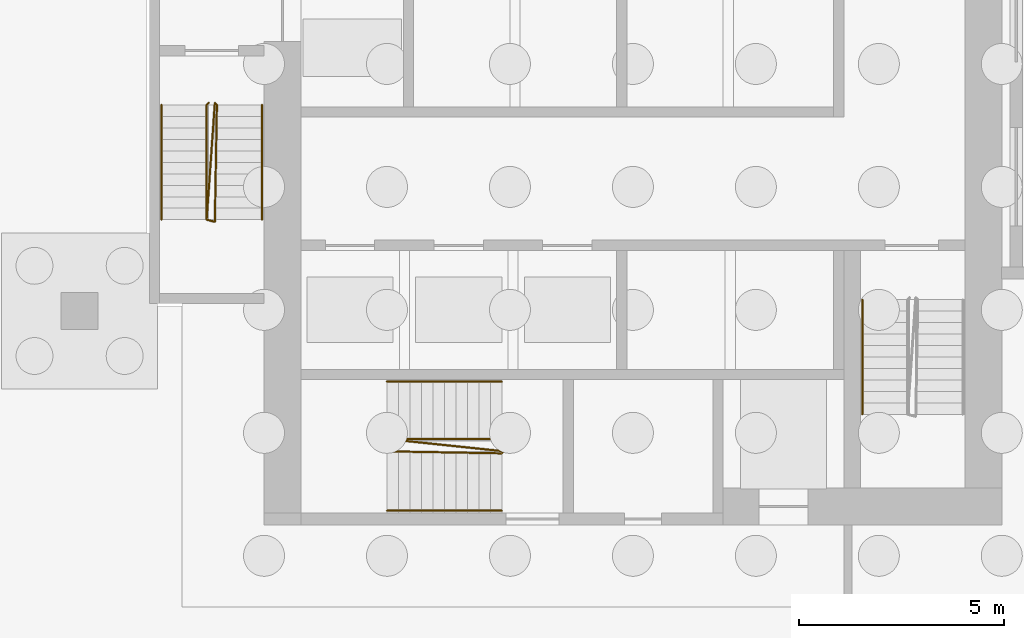
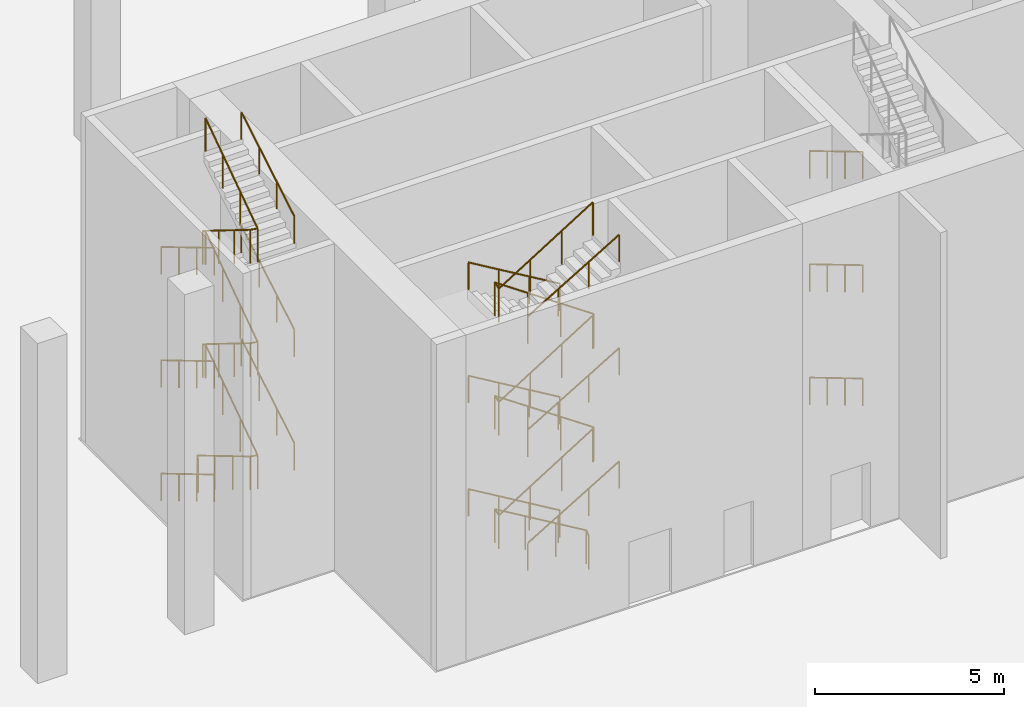
# One storey, part 22 of 26: 17 railings.
"""IFC4 building model written with IfcOpenShell, lengths in metres."""

from ifc_helpers import new_model, si_unit, direction, frame, origin, origin_2d, place, context, subcontext, project, spatial, circle, extrude, material, type_object, element, save


model = new_model("IFC4")

# Units and contexts
model_context = context("Model", 3, precision=1e-05, world=origin(), true_north=direction((0.0, 1.0)))
body_context = subcontext(model_context, "Body", "Model", "MODEL_VIEW")
ifc_project = project(units=[si_unit("LENGTHUNIT", "METRE"), si_unit("AREAUNIT", "SQUARE_METRE"), si_unit("VOLUMEUNIT", "CUBIC_METRE"), si_unit("PLANEANGLEUNIT", "RADIAN"), si_unit("MASSUNIT", "GRAM", prefix="KILO")], contexts=[model_context])

# Site, building, storey
site_placement = place(None, origin())
site = spatial("IfcSite", under=ifc_project, at=site_placement, CompositionType="ELEMENT")
building_placement = place(site_placement, origin())
building = spatial("IfcBuilding", under=site, at=building_placement, Name="Kajstack Hotel Tower", CompositionType="ELEMENT")
storey_placement = place(building_placement, origin())
storey = spatial("IfcBuildingStorey", under=building, at=storey_placement, Name="L00", CompositionType="ELEMENT", Elevation=0.0)

# Railings
ifc_material = material(Name="Steel S355J2", Category="steel")
railing_type_1 = type_object("IfcRailingType", Name="Stair guard 1100", PredefinedType="GUARDRAIL", material=ifc_material)
railing_1_placement = place(storey_placement, frame((-32.85009765625, -5.199951171875, 0.0)))
element("IfcRailing", 1, at=railing_1_placement, inside=storey, type_object=railing_type_1, Name="L00 W1 stair guard 1", PredefinedType="GUARDRAIL", context=body_context, shape_type="SweptSolid", body=[
    extrude(circle(Radius=0.02392578125, at=origin_2d()), frame((0.0, 0.0, 1.076171875), z_axis=(-0.275041040955, -0.276389281352, 0.920848191041), x_axis=(0.708833529934, -0.705375805398, 0.0)), (0.0, 0.0, 1.0), 0.18115234375),
    extrude(circle(Radius=0.02392578125, at=origin_2d()), frame((-0.0498046875, -0.050048828125, 1.24267578125), z_axis=(0.0, -0.859318757487, 0.511440390497), x_axis=(1.0, 0.0, 0.0)), (0.0, 0.0, 1.0), 3.258544921875),
    extrude(circle(Radius=0.02392578125, at=origin_2d()), frame((-0.0498046875, -2.85009765625, 2.9091796875), z_axis=(0.970072785993, -0.242814311512, 0.0), x_axis=(0.242814311512, 0.970072785993, 0.0)), (0.0, 0.0, 1.0), 0.2060546875),
    extrude(circle(Radius=0.02392578125, at=origin_2d()), frame((0.150146484375, -2.900146484375, 2.9091796875), z_axis=(0.014766769939, 0.84091352328, 0.54096801095), x_axis=(-0.999845851991, 0.017557683712, 0.0)), (0.0, 0.0, 1.0), 3.389404296875),
    extrude(circle(Radius=0.02392578125, at=origin_2d()), frame((0.2001953125, -0.050048828125, 4.74267578125), z_axis=(-0.707106781187, 0.707106781187, 0.0), x_axis=(-0.707106781187, -0.707106781187, 0.0)), (0.0, 0.0, 1.0), 0.07080078125),
    extrude(circle(Radius=0.02392578125, at=origin_2d()), frame((0.150146484375, 0.0, 4.74267578125), z_axis=(-0.058901337739, -0.839577798244, 0.540036807179), x_axis=(0.997548121837, -0.06998388828, 0.0)), (0.0, 0.0, 1.0), 3.394775390625),
    extrude(circle(Radius=0.02392578125, at=origin_2d()), frame((-0.0498046875, -2.85009765625, 6.576171875), z_axis=(0.970072785993, -0.242814311512, 0.0), x_axis=(0.242814311512, 0.970072785993, 0.0)), (0.0, 0.0, 1.0), 0.2060546875),
    extrude(circle(Radius=0.02392578125, at=origin_2d()), frame((0.150146484375, -2.900146484375, 6.576171875), z_axis=(0.01476734536, 0.840946291363, 0.540917055152), x_axis=(-0.999845851991, 0.017557683712, 0.0)), (0.0, 0.0, 1.0), 3.38916015625),
    extrude(circle(Radius=0.02392578125, at=origin_2d()), frame((0.2001953125, -0.050048828125, 8.4091796875), z_axis=(-0.707106781187, 0.707106781187, 0.0), x_axis=(-0.707106781187, -0.707106781187, 0.0)), (0.0, 0.0, 1.0), 0.07080078125),
    extrude(circle(Radius=0.02392578125, at=origin_2d()), frame((0.150146484375, 0.0, 8.4091796875), z_axis=(-0.058899050069, -0.839545189867, 0.540087748493), x_axis=(0.997548121837, -0.06998388828, 0.0)), (0.0, 0.0, 1.0), 3.394775390625),
    extrude(circle(Radius=0.02392578125, at=origin_2d()), frame((-0.0498046875, -2.85009765625, 10.24267578125), z_axis=(0.970072785993, -0.242814311512, 0.0), x_axis=(0.242814311512, 0.970072785993, 0.0)), (0.0, 0.0, 1.0), 0.2060546875),
    extrude(circle(Radius=0.02392578125, at=origin_2d()), frame((0.150146484375, -2.900146484375, 10.24267578125), z_axis=(0.01476734536, 0.840946291363, 0.540917055152), x_axis=(-0.999845851991, 0.017557683712, 0.0)), (0.0, 0.0, 1.0), 3.38916015625),
    extrude(circle(Radius=0.02099609375, at=origin_2d()), origin(), (0.0, 0.0, 1.0), 1.052001953125),
    extrude(circle(Radius=0.02099609375, at=origin_2d()), frame((-0.0498046875, -0.050048828125, 0.166748046875)), (0.0, 0.0, 1.0), 1.052001953125),
    extrude(circle(Radius=0.02099609375, at=origin_2d()), frame((-0.0498046875, -0.9833984375, 0.72216796875)), (0.0, 0.0, 1.0), 1.052001953125),
    extrude(circle(Radius=0.02099609375, at=origin_2d()), frame((-0.0498046875, -1.916748046875, 1.27783203125)), (0.0, 0.0, 1.0), 1.052001953125),
    extrude(circle(Radius=0.02099609375, at=origin_2d()), frame((-0.0498046875, -2.85009765625, 1.833251953125)), (0.0, 0.0, 1.0), 1.052001953125),
    extrude(circle(Radius=0.02099609375, at=origin_2d()), frame((0.150146484375, -2.900146484375, 1.833251953125)), (0.0, 0.0, 1.0), 1.052001953125),
    extrude(circle(Radius=0.02099609375, at=origin_2d()), frame((0.166748046875, -1.9501953125, 2.4443359375)), (0.0, 0.0, 1.0), 1.052001953125),
    extrude(circle(Radius=0.02099609375, at=origin_2d()), frame((0.18359375, -1.0, 3.0556640625)), (0.0, 0.0, 1.0), 1.052001953125),
    extrude(circle(Radius=0.02099609375, at=origin_2d()), frame((0.2001953125, -0.050048828125, 3.666748046875)), (0.0, 0.0, 1.0), 1.052001953125),
    extrude(circle(Radius=0.02099609375, at=origin_2d()), frame((0.150146484375, 0.0, 3.666748046875)), (0.0, 0.0, 1.0), 1.052001953125),
    extrude(circle(Radius=0.02099609375, at=origin_2d()), frame((0.08349609375, -0.949951171875, 4.27783203125)), (0.0, 0.0, 1.0), 1.052001953125),
    extrude(circle(Radius=0.02099609375, at=origin_2d()), frame((0.016845703125, -1.900146484375, 4.888916015625)), (0.0, 0.0, 1.0), 1.052001953125),
    extrude(circle(Radius=0.02099609375, at=origin_2d()), frame((-0.0498046875, -2.85009765625, 5.5)), (0.0, 0.0, 1.0), 1.052001953125),
    extrude(circle(Radius=0.02099609375, at=origin_2d()), frame((0.150146484375, -2.900146484375, 5.5)), (0.0, 0.0, 1.0), 1.052001953125),
    extrude(circle(Radius=0.02099609375, at=origin_2d()), frame((0.166748046875, -1.9501953125, 6.111083984375)), (0.0, 0.0, 1.0), 1.052001953125),
    extrude(circle(Radius=0.02099609375, at=origin_2d()), frame((0.18359375, -1.0, 6.72216796875)), (0.0, 0.0, 1.0), 1.052001953125),
    extrude(circle(Radius=0.02099609375, at=origin_2d()), frame((0.2001953125, -0.050048828125, 7.333251953125)), (0.0, 0.0, 1.0), 1.052001953125),
    extrude(circle(Radius=0.02099609375, at=origin_2d()), frame((0.150146484375, 0.0, 7.333251953125)), (0.0, 0.0, 1.0), 1.052001953125),
    extrude(circle(Radius=0.02099609375, at=origin_2d()), frame((0.08349609375, -0.949951171875, 7.9443359375)), (0.0, 0.0, 1.0), 1.052001953125),
    extrude(circle(Radius=0.02099609375, at=origin_2d()), frame((0.016845703125, -1.900146484375, 8.5556640625)), (0.0, 0.0, 1.0), 1.052001953125),
    extrude(circle(Radius=0.02099609375, at=origin_2d()), frame((-0.0498046875, -2.85009765625, 9.166748046875)), (0.0, 0.0, 1.0), 1.052001953125),
    extrude(circle(Radius=0.02099609375, at=origin_2d()), frame((0.150146484375, -2.900146484375, 9.166748046875)), (0.0, 0.0, 1.0), 1.052001953125),
    extrude(circle(Radius=0.02099609375, at=origin_2d()), frame((0.166748046875, -1.9501953125, 9.77783203125)), (0.0, 0.0, 1.0), 1.052001953125),
    extrude(circle(Radius=0.02099609375, at=origin_2d()), frame((0.18359375, -1.0, 10.388916015625)), (0.0, 0.0, 1.0), 1.052001953125),
    extrude(circle(Radius=0.02099609375, at=origin_2d()), frame((0.2001953125, -0.050048828125, 11.0)), (0.0, 0.0, 1.0), 1.052001953125),
])
railing_2_placement = place(storey_placement, frame((-25.64990234375, -13.449951171875, 0.0)))
element("IfcRailing", 2, at=railing_2_placement, inside=storey, type_object=railing_type_1, Name="L00 W3 stair guard 1", PredefinedType="GUARDRAIL", context=body_context, shape_type="SweptSolid", body=[
    extrude(circle(Radius=0.02392578125, at=origin_2d()), frame((0.0, 0.0, 1.076171875), z_axis=(-0.27628659633, 0.27628659633, 0.920506074601), x_axis=(-0.707106781187, -0.707106781187, 0.0)), (0.0, 0.0, 1.0), 0.18115234375),
    extrude(circle(Radius=0.02392578125, at=origin_2d()), frame((-0.050048828125, 0.050048828125, 1.24267578125), z_axis=(-0.859318757487, 0.0, 0.511440390497), x_axis=(0.0, -1.0, 0.0)), (0.0, 0.0, 1.0), 3.258544921875),
    extrude(circle(Radius=0.02392578125, at=origin_2d()), frame((-2.85009765625, 0.050048828125, 2.9091796875), z_axis=(-0.164529134168, -0.986372223864, 0.0), x_axis=(0.986372223864, -0.164529134168, 0.0)), (0.0, 0.0, 1.0), 0.30419921875),
    extrude(circle(Radius=0.02392578125, at=origin_2d()), frame((-2.900146484375, -0.25, 2.9091796875), z_axis=(0.84091352328, -0.014766769939, 0.54096801095), x_axis=(0.017557683712, 0.999845851991, 0.0)), (0.0, 0.0, 1.0), 3.389404296875),
    extrude(circle(Radius=0.02392578125, at=origin_2d()), frame((-0.050048828125, -0.300048828125, 4.74267578125), z_axis=(0.707106781187, 0.707106781187, 0.0), x_axis=(-0.707106781187, 0.707106781187, 0.0)), (0.0, 0.0, 1.0), 0.07080078125),
    extrude(circle(Radius=0.02392578125, at=origin_2d()), frame((0.0, -0.25, 4.74267578125), z_axis=(-0.837760544997, 0.088196651516, 0.538867905806), x_axis=(-0.104698088099, -0.994504052455, 0.0)), (0.0, 0.0, 1.0), 3.402099609375),
    extrude(circle(Radius=0.02392578125, at=origin_2d()), frame((-2.85009765625, 0.050048828125, 6.576171875), z_axis=(-0.164529134168, -0.986372223864, 0.0), x_axis=(0.986372223864, -0.164529134168, 0.0)), (0.0, 0.0, 1.0), 0.30419921875),
    extrude(circle(Radius=0.02392578125, at=origin_2d()), frame((-2.900146484375, -0.25, 6.576171875), z_axis=(0.840946291363, -0.01476734536, 0.540917055152), x_axis=(0.017557683712, 0.999845851991, 0.0)), (0.0, 0.0, 1.0), 3.38916015625),
    extrude(circle(Radius=0.02392578125, at=origin_2d()), frame((-0.050048828125, -0.300048828125, 8.4091796875), z_axis=(0.707106781187, 0.707106781187, 0.0), x_axis=(-0.707106781187, 0.707106781187, 0.0)), (0.0, 0.0, 1.0), 0.07080078125),
    extrude(circle(Radius=0.02392578125, at=origin_2d()), frame((0.0, -0.25, 8.4091796875), z_axis=(-0.837728147895, 0.088193240857, 0.538918827368), x_axis=(-0.104698088099, -0.994504052455, 0.0)), (0.0, 0.0, 1.0), 3.402099609375),
    extrude(circle(Radius=0.02392578125, at=origin_2d()), frame((-2.85009765625, 0.050048828125, 10.24267578125), z_axis=(-0.164529134168, -0.986372223864, 0.0), x_axis=(0.986372223864, -0.164529134168, 0.0)), (0.0, 0.0, 1.0), 0.30419921875),
    extrude(circle(Radius=0.02392578125, at=origin_2d()), frame((-2.900146484375, -0.25, 10.24267578125), z_axis=(0.840946291363, -0.01476734536, 0.540917055152), x_axis=(0.017557683712, 0.999845851991, 0.0)), (0.0, 0.0, 1.0), 3.38916015625),
    extrude(circle(Radius=0.02099609375, at=origin_2d()), origin(), (0.0, 0.0, 1.0), 1.052001953125),
    extrude(circle(Radius=0.02099609375, at=origin_2d()), frame((-0.050048828125, 0.050048828125, 0.166748046875)), (0.0, 0.0, 1.0), 1.052001953125),
    extrude(circle(Radius=0.02099609375, at=origin_2d()), frame((-0.9833984375, 0.050048828125, 0.72216796875)), (0.0, 0.0, 1.0), 1.052001953125),
    extrude(circle(Radius=0.02099609375, at=origin_2d()), frame((-1.916748046875, 0.050048828125, 1.27783203125)), (0.0, 0.0, 1.0), 1.052001953125),
    extrude(circle(Radius=0.02099609375, at=origin_2d()), frame((-2.85009765625, 0.050048828125, 1.833251953125)), (0.0, 0.0, 1.0), 1.052001953125),
    extrude(circle(Radius=0.02099609375, at=origin_2d()), frame((-2.900146484375, -0.25, 1.833251953125)), (0.0, 0.0, 1.0), 1.052001953125),
    extrude(circle(Radius=0.02099609375, at=origin_2d()), frame((-1.9501953125, -0.2666015625, 2.4443359375)), (0.0, 0.0, 1.0), 1.052001953125),
    extrude(circle(Radius=0.02099609375, at=origin_2d()), frame((-1.0, -0.283447265625, 3.0556640625)), (0.0, 0.0, 1.0), 1.052001953125),
    extrude(circle(Radius=0.02099609375, at=origin_2d()), frame((-0.050048828125, -0.300048828125, 3.666748046875)), (0.0, 0.0, 1.0), 1.052001953125),
    extrude(circle(Radius=0.02099609375, at=origin_2d()), frame((0.0, -0.25, 3.666748046875)), (0.0, 0.0, 1.0), 1.052001953125),
    extrude(circle(Radius=0.02099609375, at=origin_2d()), frame((-0.949951171875, -0.14990234375, 4.27783203125)), (0.0, 0.0, 1.0), 1.052001953125),
    extrude(circle(Radius=0.02099609375, at=origin_2d()), frame((-1.900146484375, -0.050048828125, 4.888916015625)), (0.0, 0.0, 1.0), 1.052001953125),
    extrude(circle(Radius=0.02099609375, at=origin_2d()), frame((-2.85009765625, 0.050048828125, 5.5)), (0.0, 0.0, 1.0), 1.052001953125),
    extrude(circle(Radius=0.02099609375, at=origin_2d()), frame((-2.900146484375, -0.25, 5.5)), (0.0, 0.0, 1.0), 1.052001953125),
    extrude(circle(Radius=0.02099609375, at=origin_2d()), frame((-1.9501953125, -0.2666015625, 6.111083984375)), (0.0, 0.0, 1.0), 1.052001953125),
    extrude(circle(Radius=0.02099609375, at=origin_2d()), frame((-1.0, -0.283447265625, 6.72216796875)), (0.0, 0.0, 1.0), 1.052001953125),
    extrude(circle(Radius=0.02099609375, at=origin_2d()), frame((-0.050048828125, -0.300048828125, 7.333251953125)), (0.0, 0.0, 1.0), 1.052001953125),
    extrude(circle(Radius=0.02099609375, at=origin_2d()), frame((0.0, -0.25, 7.333251953125)), (0.0, 0.0, 1.0), 1.052001953125),
    extrude(circle(Radius=0.02099609375, at=origin_2d()), frame((-0.949951171875, -0.14990234375, 7.9443359375)), (0.0, 0.0, 1.0), 1.052001953125),
    extrude(circle(Radius=0.02099609375, at=origin_2d()), frame((-1.900146484375, -0.050048828125, 8.5556640625)), (0.0, 0.0, 1.0), 1.052001953125),
    extrude(circle(Radius=0.02099609375, at=origin_2d()), frame((-2.85009765625, 0.050048828125, 9.166748046875)), (0.0, 0.0, 1.0), 1.052001953125),
    extrude(circle(Radius=0.02099609375, at=origin_2d()), frame((-2.900146484375, -0.25, 9.166748046875)), (0.0, 0.0, 1.0), 1.052001953125),
    extrude(circle(Radius=0.02099609375, at=origin_2d()), frame((-1.9501953125, -0.2666015625, 9.77783203125)), (0.0, 0.0, 1.0), 1.052001953125),
    extrude(circle(Radius=0.02099609375, at=origin_2d()), frame((-1.0, -0.283447265625, 10.388916015625)), (0.0, 0.0, 1.0), 1.052001953125),
    extrude(circle(Radius=0.02099609375, at=origin_2d()), frame((-0.050048828125, -0.300048828125, 11.0)), (0.0, 0.0, 1.0), 1.052001953125),
])
railing_type_2 = type_object("IfcRailingType", Name="Stair handrail 900", PredefinedType="HANDRAIL", material=ifc_material)
railing_3_placement = place(storey_placement, frame((-34.0, -5.25, 0.166748046875)))
element("IfcRailing", 3, at=railing_3_placement, inside=storey, type_object=railing_type_2, Name="L00 W1 stair handrail 1", PredefinedType="HANDRAIL", context=body_context, shape_type="SweptSolid", body=[
    extrude(circle(Radius=0.02392578125, at=origin_2d()), frame((0.0, 0.0, 0.8759765625), z_axis=(0.0, -0.859318757487, 0.511440390497), x_axis=(1.0, 0.0, 0.0)), (0.0, 0.0, 1.0), 3.258544921875),
    extrude(circle(Radius=0.02099609375, at=origin_2d()), origin(), (0.0, 0.0, 1.0), 0.851806640625),
    extrude(circle(Radius=0.02099609375, at=origin_2d()), frame((0.0, -0.933349609375, 0.555419921875)), (0.0, 0.0, 1.0), 0.851806640625),
    extrude(circle(Radius=0.02099609375, at=origin_2d()), frame((0.0, -1.86669921875, 1.111083984375)), (0.0, 0.0, 1.0), 0.851806640625),
    extrude(circle(Radius=0.02099609375, at=origin_2d()), frame((0.0, -2.800048828125, 1.66650390625)), (0.0, 0.0, 1.0), 0.851806640625),
])
railing_4_placement = place(storey_placement, frame((-31.550048828125, -8.050048828125, 2.0)))
element("IfcRailing", 4, at=railing_4_placement, inside=storey, type_object=railing_type_2, Name="L00 W1 stair handrail 2", PredefinedType="HANDRAIL", context=body_context, shape_type="SweptSolid", body=[
    extrude(circle(Radius=0.02392578125, at=origin_2d()), frame((0.0, 0.0, 0.8759765625), z_axis=(0.0, 0.859285828005, 0.511495714342), x_axis=(-1.0, 0.0, 0.0)), (0.0, 0.0, 1.0), 3.258544921875),
    extrude(circle(Radius=0.02099609375, at=origin_2d()), origin(), (0.0, 0.0, 1.0), 0.851806640625),
    extrude(circle(Radius=0.02099609375, at=origin_2d()), frame((0.0, 0.933349609375, 0.5556640625)), (0.0, 0.0, 1.0), 0.851806640625),
    extrude(circle(Radius=0.02099609375, at=origin_2d()), frame((0.0, 1.86669921875, 1.111083984375)), (0.0, 0.0, 1.0), 0.851806640625),
    extrude(circle(Radius=0.02099609375, at=origin_2d()), frame((0.0, 2.800048828125, 1.666748046875)), (0.0, 0.0, 1.0), 0.851806640625),
])
railing_5_placement = place(storey_placement, frame((-34.0, -5.25, 3.833251953125)))
element("IfcRailing", 5, at=railing_5_placement, inside=storey, type_object=railing_type_2, Name="L00 W1 stair handrail 3", PredefinedType="HANDRAIL", context=body_context, shape_type="SweptSolid", body=[
    extrude(circle(Radius=0.02392578125, at=origin_2d()), frame((0.0, 0.0, 0.8759765625), z_axis=(0.0, -0.859285828005, 0.511495714342), x_axis=(1.0, 0.0, 0.0)), (0.0, 0.0, 1.0), 3.258544921875),
    extrude(circle(Radius=0.02099609375, at=origin_2d()), origin(), (0.0, 0.0, 1.0), 0.851806640625),
    extrude(circle(Radius=0.02099609375, at=origin_2d()), frame((0.0, -0.933349609375, 0.5556640625)), (0.0, 0.0, 1.0), 0.851806640625),
    extrude(circle(Radius=0.02099609375, at=origin_2d()), frame((0.0, -1.86669921875, 1.111083984375)), (0.0, 0.0, 1.0), 0.851806640625),
    extrude(circle(Radius=0.02099609375, at=origin_2d()), frame((0.0, -2.800048828125, 1.666748046875)), (0.0, 0.0, 1.0), 0.851806640625),
])
railing_6_placement = place(storey_placement, frame((-31.550048828125, -8.050048828125, 5.666748046875)))
element("IfcRailing", 6, at=railing_6_placement, inside=storey, type_object=railing_type_2, Name="L00 W1 stair handrail 4", PredefinedType="HANDRAIL", context=body_context, shape_type="SweptSolid", body=[
    extrude(circle(Radius=0.02392578125, at=origin_2d()), frame((0.0, 0.0, 0.8759765625), z_axis=(0.0, 0.859318757487, 0.511440390497), x_axis=(-1.0, 0.0, 0.0)), (0.0, 0.0, 1.0), 3.258544921875),
    extrude(circle(Radius=0.02099609375, at=origin_2d()), origin(), (0.0, 0.0, 1.0), 0.851806640625),
    extrude(circle(Radius=0.02099609375, at=origin_2d()), frame((0.0, 0.933349609375, 0.555419921875)), (0.0, 0.0, 1.0), 0.851806640625),
    extrude(circle(Radius=0.02099609375, at=origin_2d()), frame((0.0, 1.86669921875, 1.111083984375)), (0.0, 0.0, 1.0), 0.851806640625),
    extrude(circle(Radius=0.02099609375, at=origin_2d()), frame((0.0, 2.800048828125, 1.66650390625)), (0.0, 0.0, 1.0), 0.851806640625),
])
railing_7_placement = place(storey_placement, frame((-34.0, -5.25, 7.5)))
element("IfcRailing", 7, at=railing_7_placement, inside=storey, type_object=railing_type_2, Name="L00 W1 stair handrail 5", PredefinedType="HANDRAIL", context=body_context, shape_type="SweptSolid", body=[
    extrude(circle(Radius=0.02392578125, at=origin_2d()), frame((0.0, 0.0, 0.8759765625), z_axis=(0.0, -0.859285828005, 0.511495714342), x_axis=(1.0, 0.0, 0.0)), (0.0, 0.0, 1.0), 3.258544921875),
    extrude(circle(Radius=0.02099609375, at=origin_2d()), origin(), (0.0, 0.0, 1.0), 0.851806640625),
    extrude(circle(Radius=0.02099609375, at=origin_2d()), frame((0.0, -0.933349609375, 0.5556640625)), (0.0, 0.0, 1.0), 0.851806640625),
    extrude(circle(Radius=0.02099609375, at=origin_2d()), frame((0.0, -1.86669921875, 1.111083984375)), (0.0, 0.0, 1.0), 0.851806640625),
    extrude(circle(Radius=0.02099609375, at=origin_2d()), frame((0.0, -2.800048828125, 1.666748046875)), (0.0, 0.0, 1.0), 0.851806640625),
])
railing_8_placement = place(storey_placement, frame((-31.550048828125, -8.050048828125, 9.333251953125)))
element("IfcRailing", 8, at=railing_8_placement, inside=storey, type_object=railing_type_2, Name="L00 W1 stair handrail 6", PredefinedType="HANDRAIL", context=body_context, shape_type="SweptSolid", body=[
    extrude(circle(Radius=0.02392578125, at=origin_2d()), frame((0.0, 0.0, 0.8759765625), z_axis=(0.0, 0.859285828005, 0.511495714342), x_axis=(-1.0, 0.0, 0.0)), (0.0, 0.0, 1.0), 3.258544921875),
    extrude(circle(Radius=0.02099609375, at=origin_2d()), origin(), (0.0, 0.0, 1.0), 0.851806640625),
    extrude(circle(Radius=0.02099609375, at=origin_2d()), frame((0.0, 0.933349609375, 0.5556640625)), (0.0, 0.0, 1.0), 0.851806640625),
    extrude(circle(Radius=0.02099609375, at=origin_2d()), frame((0.0, 1.86669921875, 1.111083984375)), (0.0, 0.0, 1.0), 0.851806640625),
    extrude(circle(Radius=0.02099609375, at=origin_2d()), frame((0.0, 2.800048828125, 1.666748046875)), (0.0, 0.0, 1.0), 0.851806640625),
])
railing_9_placement = place(storey_placement, frame((-16.89990234375, -10.0, 0.166748046875)))
element("IfcRailing", 9, at=railing_9_placement, inside=storey, type_object=railing_type_2, Name="L00 W2 stair handrail 1", PredefinedType="HANDRAIL", context=body_context, shape_type="SweptSolid", body=[
    extrude(circle(Radius=0.02392578125, at=origin_2d()), frame((0.0, 0.0, 0.8759765625), z_axis=(0.0, -0.859318757487, 0.511440390497), x_axis=(1.0, 0.0, 0.0)), (0.0, 0.0, 1.0), 3.258544921875),
    extrude(circle(Radius=0.02099609375, at=origin_2d()), origin(), (0.0, 0.0, 1.0), 0.851806640625),
    extrude(circle(Radius=0.02099609375, at=origin_2d()), frame((0.0, -0.933349609375, 0.555419921875)), (0.0, 0.0, 1.0), 0.851806640625),
    extrude(circle(Radius=0.02099609375, at=origin_2d()), frame((0.0, -1.86669921875, 1.111083984375)), (0.0, 0.0, 1.0), 0.851806640625),
    extrude(circle(Radius=0.02099609375, at=origin_2d()), frame((0.0, -2.800048828125, 1.66650390625)), (0.0, 0.0, 1.0), 0.851806640625),
])
for number, where, name in (
    (10, (-16.89990234375, -10.0, 3.833251953125), "L00 W2 stair handrail 3"),
    (11, (-16.89990234375, -10.0, 7.5), "L00 W2 stair handrail 5"),
):
    element("IfcRailing", number, at=place(storey_placement, frame(where)), inside=storey, type_object=railing_type_2, Name=name, PredefinedType="HANDRAIL", context=body_context, shape_type="SweptSolid", body=[
        extrude(circle(Radius=0.02392578125, at=origin_2d()), frame((0.0, 0.0, 0.8759765625), z_axis=(0.0, -0.859285828005, 0.511495714342), x_axis=(1.0, 0.0, 0.0)), (0.0, 0.0, 1.0), 3.258544921875),
        extrude(circle(Radius=0.02099609375, at=origin_2d()), origin(), (0.0, 0.0, 1.0), 0.851806640625),
        extrude(circle(Radius=0.02099609375, at=origin_2d()), frame((0.0, -0.933349609375, 0.5556640625)), (0.0, 0.0, 1.0), 0.851806640625),
        extrude(circle(Radius=0.02099609375, at=origin_2d()), frame((0.0, -1.86669921875, 1.111083984375)), (0.0, 0.0, 1.0), 0.851806640625),
        extrude(circle(Radius=0.02099609375, at=origin_2d()), frame((0.0, -2.800048828125, 1.666748046875)), (0.0, 0.0, 1.0), 0.851806640625),
    ])
railing_10_placement = place(storey_placement, frame((-25.699951171875, -12.0, 0.166748046875)))
element("IfcRailing", 12, at=railing_10_placement, inside=storey, type_object=railing_type_2, Name="L00 W3 stair handrail 1", PredefinedType="HANDRAIL", context=body_context, shape_type="SweptSolid", body=[
    extrude(circle(Radius=0.02392578125, at=origin_2d()), frame((0.0, 0.0, 0.8759765625), z_axis=(-0.859318757487, 0.0, 0.511440390497), x_axis=(0.0, -1.0, 0.0)), (0.0, 0.0, 1.0), 3.258544921875),
    extrude(circle(Radius=0.02099609375, at=origin_2d()), origin(), (0.0, 0.0, 1.0), 0.851806640625),
    extrude(circle(Radius=0.02099609375, at=origin_2d()), frame((-0.933349609375, 0.0, 0.555419921875)), (0.0, 0.0, 1.0), 0.851806640625),
    extrude(circle(Radius=0.02099609375, at=origin_2d()), frame((-1.86669921875, 0.0, 1.111083984375)), (0.0, 0.0, 1.0), 0.851806640625),
    extrude(circle(Radius=0.02099609375, at=origin_2d()), frame((-2.800048828125, 0.0, 1.66650390625)), (0.0, 0.0, 1.0), 0.851806640625),
])
railing_11_placement = place(storey_placement, frame((-28.5, -15.14990234375, 2.0)))
element("IfcRailing", 13, at=railing_11_placement, inside=storey, type_object=railing_type_2, Name="L00 W3 stair handrail 2", PredefinedType="HANDRAIL", context=body_context, shape_type="SweptSolid", body=[
    extrude(circle(Radius=0.02392578125, at=origin_2d()), frame((0.0, 0.0, 0.8759765625), z_axis=(0.859285828005, 0.0, 0.511495714342), x_axis=(0.0, 1.0, 0.0)), (0.0, 0.0, 1.0), 3.258544921875),
    extrude(circle(Radius=0.02099609375, at=origin_2d()), origin(), (0.0, 0.0, 1.0), 0.851806640625),
    extrude(circle(Radius=0.02099609375, at=origin_2d()), frame((0.933349609375, 0.0, 0.5556640625)), (0.0, 0.0, 1.0), 0.851806640625),
    extrude(circle(Radius=0.02099609375, at=origin_2d()), frame((1.86669921875, 0.0, 1.111083984375)), (0.0, 0.0, 1.0), 0.851806640625),
    extrude(circle(Radius=0.02099609375, at=origin_2d()), frame((2.800048828125, 0.0, 1.666748046875)), (0.0, 0.0, 1.0), 0.851806640625),
])
railing_12_placement = place(storey_placement, frame((-25.699951171875, -12.0, 3.833251953125)))
element("IfcRailing", 14, at=railing_12_placement, inside=storey, type_object=railing_type_2, Name="L00 W3 stair handrail 3", PredefinedType="HANDRAIL", context=body_context, shape_type="SweptSolid", body=[
    extrude(circle(Radius=0.02392578125, at=origin_2d()), frame((0.0, 0.0, 0.8759765625), z_axis=(-0.859285828005, 0.0, 0.511495714342), x_axis=(0.0, -1.0, 0.0)), (0.0, 0.0, 1.0), 3.258544921875),
    extrude(circle(Radius=0.02099609375, at=origin_2d()), origin(), (0.0, 0.0, 1.0), 0.851806640625),
    extrude(circle(Radius=0.02099609375, at=origin_2d()), frame((-0.933349609375, 0.0, 0.5556640625)), (0.0, 0.0, 1.0), 0.851806640625),
    extrude(circle(Radius=0.02099609375, at=origin_2d()), frame((-1.86669921875, 0.0, 1.111083984375)), (0.0, 0.0, 1.0), 0.851806640625),
    extrude(circle(Radius=0.02099609375, at=origin_2d()), frame((-2.800048828125, 0.0, 1.666748046875)), (0.0, 0.0, 1.0), 0.851806640625),
])
railing_13_placement = place(storey_placement, frame((-28.5, -15.14990234375, 5.666748046875)))
element("IfcRailing", 15, at=railing_13_placement, inside=storey, type_object=railing_type_2, Name="L00 W3 stair handrail 4", PredefinedType="HANDRAIL", context=body_context, shape_type="SweptSolid", body=[
    extrude(circle(Radius=0.02392578125, at=origin_2d()), frame((0.0, 0.0, 0.8759765625), z_axis=(0.859318757487, 0.0, 0.511440390497), x_axis=(0.0, 1.0, 0.0)), (0.0, 0.0, 1.0), 3.258544921875),
    extrude(circle(Radius=0.02099609375, at=origin_2d()), origin(), (0.0, 0.0, 1.0), 0.851806640625),
    extrude(circle(Radius=0.02099609375, at=origin_2d()), frame((0.933349609375, 0.0, 0.555419921875)), (0.0, 0.0, 1.0), 0.851806640625),
    extrude(circle(Radius=0.02099609375, at=origin_2d()), frame((1.86669921875, 0.0, 1.111083984375)), (0.0, 0.0, 1.0), 0.851806640625),
    extrude(circle(Radius=0.02099609375, at=origin_2d()), frame((2.800048828125, 0.0, 1.66650390625)), (0.0, 0.0, 1.0), 0.851806640625),
])
railing_14_placement = place(storey_placement, frame((-25.699951171875, -12.0, 7.5)))
element("IfcRailing", 16, at=railing_14_placement, inside=storey, type_object=railing_type_2, Name="L00 W3 stair handrail 5", PredefinedType="HANDRAIL", context=body_context, shape_type="SweptSolid", body=[
    extrude(circle(Radius=0.02392578125, at=origin_2d()), frame((0.0, 0.0, 0.8759765625), z_axis=(-0.859285828005, 0.0, 0.511495714342), x_axis=(0.0, -1.0, 0.0)), (0.0, 0.0, 1.0), 3.258544921875),
    extrude(circle(Radius=0.02099609375, at=origin_2d()), origin(), (0.0, 0.0, 1.0), 0.851806640625),
    extrude(circle(Radius=0.02099609375, at=origin_2d()), frame((-0.933349609375, 0.0, 0.5556640625)), (0.0, 0.0, 1.0), 0.851806640625),
    extrude(circle(Radius=0.02099609375, at=origin_2d()), frame((-1.86669921875, 0.0, 1.111083984375)), (0.0, 0.0, 1.0), 0.851806640625),
    extrude(circle(Radius=0.02099609375, at=origin_2d()), frame((-2.800048828125, 0.0, 1.666748046875)), (0.0, 0.0, 1.0), 0.851806640625),
])
railing_15_placement = place(storey_placement, frame((-28.5, -15.14990234375, 9.333251953125)))
element("IfcRailing", 17, at=railing_15_placement, inside=storey, type_object=railing_type_2, Name="L00 W3 stair handrail 6", PredefinedType="HANDRAIL", context=body_context, shape_type="SweptSolid", body=[
    extrude(circle(Radius=0.02392578125, at=origin_2d()), frame((0.0, 0.0, 0.8759765625), z_axis=(0.859285828005, 0.0, 0.511495714342), x_axis=(0.0, 1.0, 0.0)), (0.0, 0.0, 1.0), 3.258544921875),
    extrude(circle(Radius=0.02099609375, at=origin_2d()), origin(), (0.0, 0.0, 1.0), 0.851806640625),
    extrude(circle(Radius=0.02099609375, at=origin_2d()), frame((0.933349609375, 0.0, 0.5556640625)), (0.0, 0.0, 1.0), 0.851806640625),
    extrude(circle(Radius=0.02099609375, at=origin_2d()), frame((1.86669921875, 0.0, 1.111083984375)), (0.0, 0.0, 1.0), 0.851806640625),
    extrude(circle(Radius=0.02099609375, at=origin_2d()), frame((2.800048828125, 0.0, 1.666748046875)), (0.0, 0.0, 1.0), 0.851806640625),
])

save(model, "model.ifc")
